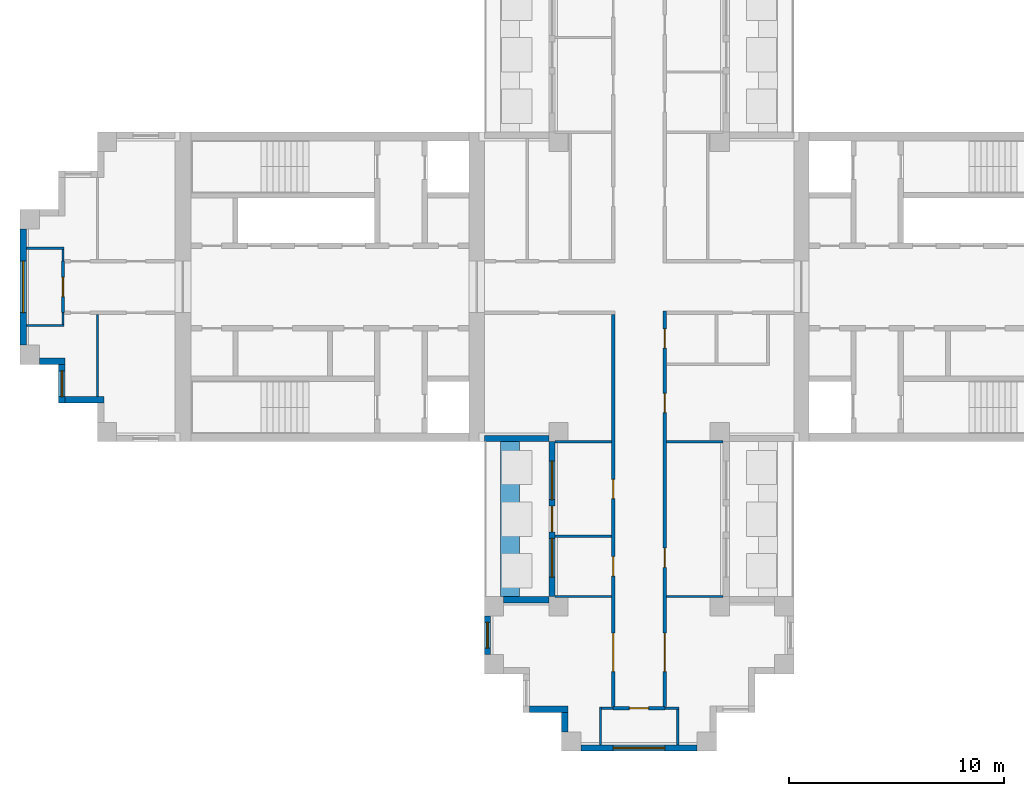
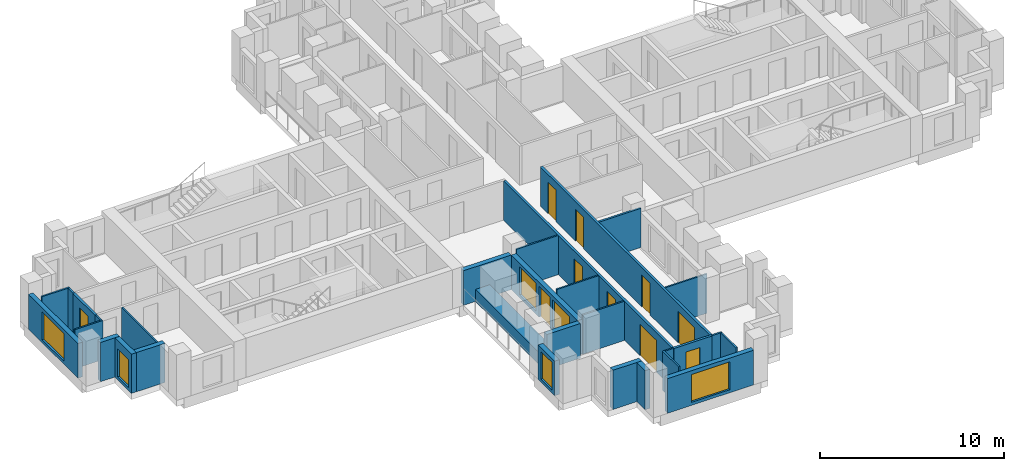
# One storey, part 2 of 10: 30 walls, 10 doors, 6 windows, 16 openings.
"""IFC4 building model written with IfcOpenShell, lengths in metres."""

import ifcopenshell
import ifcopenshell.guid

model = None  # the IFC model being written
_history = None  # IfcOwnerHistory: only IFC2X3 demands one
_inside = {}  # id of a spatial element -> (the spatial element, [elements in it])
_under = {}  # id of a project, library or spatial element -> (it, [spatial elements below it])
_declared = {}  # id of a project -> (the project, [libraries it declares])
_typed = {}  # id of a type object -> (the type object, [elements of that type])
_made_of = {}  # id of a material, layer set ... -> (it, [elements and type objects made of it])


def new_model(schema):
    """Start an empty IFC model of exactly this schema.

    Asked for "IFC4X3", IfcOpenShell would pick the latest addendum, in which some entities
    have other attributes; the version numbers below select the first issue.
    IFC2X3 requires an IfcOwnerHistory on every rooted entity: one is made here for all.
    """
    global model, _history
    if schema == "IFC4X3":
        model = ifcopenshell.file(schema_version=(4, 3, 0, 0))
    else:
        model = ifcopenshell.file(schema=schema)
    _inside.clear()
    _under.clear()
    _declared.clear()
    _typed.clear()
    _made_of.clear()
    _history = None
    if model.schema == "IFC2X3":
        org = make("IfcOrganization", Name="unknown")
        user = make(
            "IfcPersonAndOrganization",
            ThePerson=make("IfcPerson", FamilyName="unknown"),
            TheOrganization=org,
        )
        app = make(
            "IfcApplication",
            ApplicationDeveloper=org,
            Version="unknown",
            ApplicationFullName="unknown",
            ApplicationIdentifier="unknown",
        )
        _history = make(
            "IfcOwnerHistory",
            OwningUser=user,
            OwningApplication=app,
            ChangeAction="ADDED",
            CreationDate=0,
        )
    return model


def make(cls, **values):
    """One entity of the class cls with the attributes given. An attribute that is None is left unset."""
    return model.create_entity(
        cls, **{name: value for name, value in values.items() if value is not None}
    )


def rooted(cls, **values):
    """An entity with a GlobalId (a new one), such as an element, a storey or a relation."""
    return make(cls, GlobalId=ifcopenshell.guid.new(), OwnerHistory=_history, **values)


def si_unit(unit_type, name, prefix=None):
    """IfcSIUnit, for example si_unit("LENGTHUNIT", "METRE", prefix="MILLI")."""
    return make("IfcSIUnit", UnitType=unit_type, Prefix=prefix, Name=name)


def assignment(units):
    """IfcUnitAssignment: the units of a project."""
    return None if units is None else make("IfcUnitAssignment", Units=units)


def point(xyz):
    """IfcCartesianPoint."""
    return None if xyz is None else make("IfcCartesianPoint", Coordinates=xyz)


def direction(xyz):
    """IfcDirection."""
    return None if xyz is None else make("IfcDirection", DirectionRatios=xyz)


def frame(location, z_axis=None, x_axis=None):
    """IfcAxis2Placement3D, a coordinate frame: its origin and axes. An axis left out is left unset."""
    return make(
        "IfcAxis2Placement3D",
        Location=point(location),
        Axis=direction(z_axis),
        RefDirection=direction(x_axis),
    )


def frame_2d(location, x_axis=None):
    """IfcAxis2Placement2D, a coordinate frame in the plane: its origin and x axis."""
    return make(
        "IfcAxis2Placement2D", Location=point(location), RefDirection=direction(x_axis)
    )


def origin():
    """The frame at (0, 0, 0) with its axes left unset."""
    return frame((0.0, 0.0, 0.0))


def place(relative_to, where):
    """IfcLocalPlacement: puts the frame where relative to a parent placement (None: the world)."""
    return make(
        "IfcLocalPlacement", PlacementRelTo=relative_to, RelativePlacement=where
    )


def context(
    kind, dimensions, precision=None, world=None, true_north=None, identifier=None
):
    """IfcGeometricRepresentationContext, for example the 3D "Model" context."""
    return make(
        "IfcGeometricRepresentationContext",
        ContextIdentifier=identifier,
        ContextType=kind,
        CoordinateSpaceDimension=dimensions,
        Precision=precision,
        WorldCoordinateSystem=world,
        TrueNorth=true_north,
    )


def subcontext(parent, identifier, kind, view, scale=None):
    """IfcGeometricRepresentationSubContext, for example "Body" below "Model"."""
    return make(
        "IfcGeometricRepresentationSubContext",
        ContextIdentifier=identifier,
        ContextType=kind,
        ParentContext=parent,
        TargetScale=scale,
        TargetView=view,
    )


def project(units=None, contexts=None):
    """IfcProject with its units and contexts."""
    return rooted(
        "IfcProject",
        Name="project",
        RepresentationContexts=contexts,
        UnitsInContext=assignment(units),
    )


def spatial(cls, under=None, at=None, **own):
    """A site, building, storey or space (cls), placed at a placement, below another one or the project."""
    s = rooted(cls, ObjectPlacement=at, **own)
    if under is not None:
        _under.setdefault(under.id(), (under, []))[1].append(s)
    return s


def profile(cls, at=None, kind="AREA", **sizes):
    """A parametric profile (cls). Its sizes go by their IFC names, for example OverallWidth=200.0."""
    return make(cls, ProfileType=kind, Position=at, **sizes)


def rectangle(**sizes):
    """IfcRectangleProfileDef."""
    return profile("IfcRectangleProfileDef", **sizes)


def extrude(swept, where, along, depth):
    """IfcExtrudedAreaSolid: the profile swept, set in the frame where, extruded along a direction by depth."""
    return make(
        "IfcExtrudedAreaSolid",
        SweptArea=swept,
        Position=where,
        ExtrudedDirection=direction(along),
        Depth=depth,
    )


def shape(context_of_items, identifier, shape_type, items):
    """IfcShapeRepresentation: the items that make up one representation, for example the "Body"."""
    return make(
        "IfcShapeRepresentation",
        ContextOfItems=context_of_items,
        RepresentationIdentifier=identifier,
        RepresentationType=shape_type,
        Items=items,
    )


def material(Name=None, Category=None):
    """IfcMaterial."""
    return make("IfcMaterial", Name=Name, Category=Category)


def layer(
    of_material, thickness, ventilated=None, Name=None, Category=None, Priority=None
):
    """IfcMaterialLayer: one layer of a wall or slab, of a material (None: an air gap)."""
    return make(
        "IfcMaterialLayer",
        Material=of_material,
        LayerThickness=thickness,
        IsVentilated=ventilated,
        Name=Name,
        Category=Category,
        Priority=Priority,
    )


def layer_set(layers, Name=None):
    """IfcMaterialLayerSet."""
    return make("IfcMaterialLayerSet", MaterialLayers=layers, LayerSetName=Name)


def made_of(thing, what):
    """Note that an element or type object is made of a material, layer set ...; save() writes the relation."""
    if what is not None:
        _made_of.setdefault(what.id(), (what, []))[1].append(thing)
    return thing


def type_object(cls, material=None, **own):
    """A type object (cls), such as IfcWallType, which elements share."""
    return made_of(rooted(cls, **own), material)


def element(
    cls,
    number,
    at=None,
    inside=None,
    cuts=None,
    type_object=None,
    material=None,
    context=None,
    identifier="Body",
    shape_type=None,
    held_by="IfcProductDefinitionShape",
    body=None,
    shapes=None,
    **own,
):
    """One element of the class cls, such as IfcWall. Its Tag is "e" and its number.

    at: its placement. inside: the storey or other place that contains it. cuts: it is an
    opening in that element (IfcRelVoidsElement). A single representation is given by context,
    identifier, shape_type and body (its items); several are given by shapes. held_by: the class
    of the entity that holds the representations. save() writes the other relations.
    """
    e = rooted(cls, Tag="e%d" % number, ObjectPlacement=at, **own)
    if body is not None:
        shapes = [shape(context, identifier, shape_type, body)]
    if shapes is not None:
        e.Representation = make(held_by, Representations=shapes)
    if inside is not None:
        _inside.setdefault(inside.id(), (inside, []))[1].append(e)
    if cuts is not None:
        rooted(
            "IfcRelVoidsElement", RelatingBuildingElement=cuts, RelatedOpeningElement=e
        )
    if type_object is not None:
        _typed.setdefault(type_object.id(), (type_object, []))[1].append(e)
    return made_of(e, material)


def fill(opening, filler):
    """IfcRelFillsElement: the door or window that sits in an opening."""
    return rooted(
        "IfcRelFillsElement",
        RelatingOpeningElement=opening,
        RelatedBuildingElement=filler,
    )


def aggregate(whole, parts):
    """IfcRelAggregates: a whole, such as a stair, and the parts it consists of."""
    return rooted("IfcRelAggregates", RelatingObject=whole, RelatedObjects=parts)


def save(model, path):
    """Write the relations noted so far, then the file.

    IfcRelAggregates (storeys below a building ...), IfcRelContainedInSpatialStructure (elements
    in a storey), IfcRelDefinesByType, IfcRelAssociatesMaterial and IfcRelDeclares: one each for
    every whole, place, type object, material and project.
    """
    for whole, parts in _under.values():
        aggregate(whole, parts)
    for where, things in _inside.values():
        rooted(
            "IfcRelContainedInSpatialStructure",
            RelatedElements=things,
            RelatingStructure=where,
        )
    for kind, things in _typed.values():
        rooted("IfcRelDefinesByType", RelatedObjects=things, RelatingType=kind)
    for what, things in _made_of.values():
        rooted("IfcRelAssociatesMaterial", RelatedObjects=things, RelatingMaterial=what)
    for by, libraries in _declared.values():
        rooted("IfcRelDeclares", RelatingContext=by, RelatedDefinitions=libraries)
    model.write(path)


model = new_model("IFC4")

# Units and contexts
model_context = context("Model", 3, precision=1e-05, world=origin(), true_north=direction((0.0, 1.0)))
body_context = subcontext(model_context, "Body", "Model", "MODEL_VIEW")
ifc_project = project(units=[si_unit("LENGTHUNIT", "METRE"), si_unit("AREAUNIT", "SQUARE_METRE"), si_unit("VOLUMEUNIT", "CUBIC_METRE"), si_unit("PLANEANGLEUNIT", "RADIAN"), si_unit("MASSUNIT", "GRAM", prefix="KILO")], contexts=[model_context])

# Site, building, storey
site_placement = place(None, origin())
site = spatial("IfcSite", under=ifc_project, at=site_placement, CompositionType="ELEMENT")
building_placement = place(site_placement, origin())
building = spatial("IfcBuilding", under=site, at=building_placement, Name="Fustian Cross Tower", CompositionType="ELEMENT")
storey_placement = place(building_placement, frame((0.0, 0.0, 207.89990234375)))
storey = spatial("IfcBuildingStorey", under=building, at=storey_placement, Name="L65", CompositionType="ELEMENT", Elevation=207.89990234375)

# Wall, opening, door
ifc_material_1 = material(Name="Plasterboard on steel stud", Category="steel")
ifc_layer_1 = layer(ifc_material_1, 0.14990234375)
ifc_layer_set_1 = layer_set([ifc_layer_1], Name="Plasterboard on steel stud")
wall_type_1 = type_object("IfcWallType", Name="COMPARTMENT WALL 150 EI 60", PredefinedType="PARTITIONING", material=ifc_layer_set_1)
wall_1_placement = place(storey_placement, frame((-26.800048828125, -1.199951171875, 0.0), z_axis=(0.0, 0.0, 1.0), x_axis=(0.0, 1.0, 0.0)))
wall_1 = element("IfcWall", 1, at=wall_1_placement, inside=storey, type_object=wall_type_1, Name="Partition 4", PredefinedType="PARTITIONING", context=body_context, shape_type="SweptSolid", body=[
    extrude(rectangle(XDim=2.39990234375, YDim=0.14990234375, at=frame_2d((1.199951171875, 0.0))), origin(), (0.0, 0.0, 1.0), 2.60009765625),
])
opening_1_placement = place(wall_1_placement, frame((0.75, 0.0, 0.0)))
opening_1 = element("IfcOpeningElement", 2, at=opening_1_placement, cuts=wall_1, Name="Opening D30025", PredefinedType="OPENING", context=body_context, shape_type="SweptSolid", body=[
    extrude(rectangle(XDim=0.89990234375, YDim=2.10009765625, at=frame_2d((0.449951171875, 1.050048828125))), frame((0.0, 0.0849609375, 0.0), z_axis=(0.0, -1.0, 0.0), x_axis=(1.0, 0.0, 0.0)), (0.0, 0.0, 1.0), 0.169921875),
])
ifc_material_2 = material(Name="Timber fire door set", Category="wood")
door_type_1 = type_object("IfcDoorType", Name="FIRE SWING DOOR 900 FD30S", OperationType="SINGLE_SWING_LEFT", PredefinedType="DOOR", material=ifc_material_2)
door_1_placement = place(opening_1_placement, origin())
door_1 = element("IfcDoor", 3, at=door_1_placement, inside=storey, type_object=door_type_1, Name="Door D30025", OperationType="SINGLE_SWING_LEFT", OverallHeight=2.10009765625, OverallWidth=0.89990234375, PredefinedType="DOOR", context=body_context, shape_type="SweptSolid", body=[
    extrude(rectangle(XDim=0.89990234375, YDim=2.10009765625, at=frame_2d((0.449951171875, 1.050048828125))), frame((0.0, 0.02490234375, 0.0), z_axis=(0.0, -1.0, 0.0), x_axis=(1.0, 0.0, 0.0)), (0.0, 0.0, 1.0), 0.050048828125),
])
fill(opening_1, door_1)

# Wall, openings, doors
wall_2_placement = place(storey_placement, frame((-1.199951171875, -19.52490234375, 0.0), z_axis=(0.0, 0.0, 1.0), x_axis=(0.0, 1.0, 0.0)))
wall_2 = element("IfcWall", 4, at=wall_2_placement, inside=storey, type_object=wall_type_1, Name="Partition 28", PredefinedType="PARTITIONING", context=body_context, shape_type="SweptSolid", body=[
    extrude(rectangle(XDim=18.25, YDim=0.14990234375, at=frame_2d((9.125, 0.0))), origin(), (0.0, 0.0, 1.0), 2.60009765625),
])
opening_2_placement = place(wall_2_placement, frame((6.074951171875, 0.0, 0.0)))
opening_2 = element("IfcOpeningElement", 5, at=opening_2_placement, cuts=wall_2, Name="Opening D30033", PredefinedType="OPENING", context=body_context, shape_type="SweptSolid", body=[
    extrude(rectangle(XDim=0.89990234375, YDim=2.10009765625, at=frame_2d((0.449951171875, 1.050048828125))), frame((0.0, 0.0849609375, 0.0), z_axis=(0.0, -1.0, 0.0), x_axis=(1.0, 0.0, 0.0)), (0.0, 0.0, 1.0), 0.169921875),
])
opening_3_placement = place(wall_2_placement, frame((9.675048828125, 0.0, 0.0)))
opening_3 = element("IfcOpeningElement", 6, at=opening_3_placement, cuts=wall_2, Name="Opening D30034", PredefinedType="OPENING", context=body_context, shape_type="SweptSolid", body=[
    extrude(rectangle(XDim=0.89990234375, YDim=2.10009765625, at=frame_2d((0.449951171875, 1.050048828125))), frame((0.0, 0.0849609375, 0.0), z_axis=(0.0, -1.0, 0.0), x_axis=(1.0, 0.0, 0.0)), (0.0, 0.0, 1.0), 0.169921875),
])
opening_4_placement = place(wall_2_placement, frame((1.625, 0.0, 0.0)))
opening_4 = element("IfcOpeningElement", 7, at=opening_4_placement, cuts=wall_2, Name="Opening D30035", PredefinedType="OPENING", context=body_context, shape_type="SweptSolid", body=[
    extrude(rectangle(XDim=1.800048828125, YDim=2.10009765625, at=frame_2d((0.89990234375, 1.050048828125))), frame((0.0, 0.0849609375, 0.0), z_axis=(0.0, -1.0, 0.0), x_axis=(1.0, 0.0, 0.0)), (0.0, 0.0, 1.0), 0.169921875),
])
ifc_material_3 = material(Name="Timber fire door set", Category="wood")
door_type_2 = type_object("IfcDoorType", Name="FIRE DOUBLE DOOR 1800 FD30S", OperationType="DOUBLE_DOOR_DOUBLE_SWING", PredefinedType="DOOR", material=ifc_material_3)
door_2_placement = place(opening_4_placement, frame((1.800048828125, 0.0, 0.0), z_axis=(0.0, 0.0, 1.0), x_axis=(-1.0, 0.0, 0.0)))
door_2 = element("IfcDoor", 8, at=door_2_placement, inside=storey, type_object=door_type_2, Name="Door D30035", OperationType="DOUBLE_DOOR_DOUBLE_SWING", OverallHeight=2.10009765625, OverallWidth=1.800048828125, PredefinedType="DOOR", context=body_context, shape_type="SweptSolid", body=[
    extrude(rectangle(XDim=1.800048828125, YDim=2.10009765625, at=frame_2d((0.89990234375, 1.050048828125))), frame((0.0, 0.02490234375, 0.0), z_axis=(0.0, -1.0, 0.0), x_axis=(1.0, 0.0, 0.0)), (0.0, 0.0, 1.0), 0.050048828125),
])
fill(opening_4, door_2)
door_3_placement = place(opening_2_placement, origin())
door_3 = element("IfcDoor", 9, at=door_3_placement, inside=storey, type_object=door_type_1, Name="Door D30033", OperationType="SINGLE_SWING_LEFT", OverallHeight=2.10009765625, OverallWidth=0.89990234375, PredefinedType="DOOR", context=body_context, shape_type="SweptSolid", body=[
    extrude(rectangle(XDim=0.89990234375, YDim=2.10009765625, at=frame_2d((0.449951171875, 1.050048828125))), frame((0.0, 0.02490234375, 0.0), z_axis=(0.0, -1.0, 0.0), x_axis=(1.0, 0.0, 0.0)), (0.0, 0.0, 1.0), 0.050048828125),
])
fill(opening_2, door_3)
door_4_placement = place(opening_3_placement, origin())
door_4 = element("IfcDoor", 10, at=door_4_placement, inside=storey, type_object=door_type_1, Name="Door D30034", OperationType="SINGLE_SWING_LEFT", OverallHeight=2.10009765625, OverallWidth=0.89990234375, PredefinedType="DOOR", context=body_context, shape_type="SweptSolid", body=[
    extrude(rectangle(XDim=0.89990234375, YDim=2.10009765625, at=frame_2d((0.449951171875, 1.050048828125))), frame((0.0, 0.02490234375, 0.0), z_axis=(0.0, -1.0, 0.0), x_axis=(1.0, 0.0, 0.0)), (0.0, 0.0, 1.0), 0.050048828125),
])
fill(opening_3, door_4)

# Wall, opening, door
wall_3_placement = place(storey_placement, frame((-1.199951171875, -19.60009765625, 0.0), z_axis=(0.0, 0.0, 1.0), x_axis=(1.0, 0.0, 0.0)))
wall_3 = element("IfcWall", 11, at=wall_3_placement, inside=storey, type_object=wall_type_1, Name="Partition 29", PredefinedType="PARTITIONING", context=body_context, shape_type="SweptSolid", body=[
    extrude(rectangle(XDim=2.39990234375, YDim=0.14990234375, at=frame_2d((1.199951171875, 0.0))), origin(), (0.0, 0.0, 1.0), 2.60009765625),
])
opening_5_placement = place(wall_3_placement, frame((0.75, 0.0, 0.0)))
opening_5 = element("IfcOpeningElement", 12, at=opening_5_placement, cuts=wall_3, Name="Opening D30030", PredefinedType="OPENING", context=body_context, shape_type="SweptSolid", body=[
    extrude(rectangle(XDim=0.89990234375, YDim=2.10009765625, at=frame_2d((0.449951171875, 1.050048828125))), frame((0.0, 0.0849609375, 0.0), z_axis=(0.0, -1.0, 0.0), x_axis=(1.0, 0.0, 0.0)), (0.0, 0.0, 1.0), 0.169921875),
])
door_5_placement = place(opening_5_placement, frame((0.89990234375, 0.0, 0.0), z_axis=(0.0, 0.0, 1.0), x_axis=(-1.0, 0.0, 0.0)))
door_5 = element("IfcDoor", 13, at=door_5_placement, inside=storey, type_object=door_type_1, Name="Door D30030", OperationType="SINGLE_SWING_RIGHT", OverallHeight=2.10009765625, OverallWidth=0.89990234375, PredefinedType="DOOR", context=body_context, shape_type="SweptSolid", body=[
    extrude(rectangle(XDim=0.89990234375, YDim=2.10009765625, at=frame_2d((0.449951171875, 1.050048828125))), frame((0.0, 0.02490234375, 0.0), z_axis=(0.0, -1.0, 0.0), x_axis=(1.0, 0.0, 0.0)), (0.0, 0.0, 1.0), 0.050048828125),
])
fill(opening_5, door_5)

# Wall, openings, doors
wall_4_placement = place(storey_placement, frame((1.199951171875, -19.52490234375, 0.0), z_axis=(0.0, 0.0, 1.0), x_axis=(0.0, 1.0, 0.0)))
wall_4 = element("IfcWall", 14, at=wall_4_placement, inside=storey, type_object=wall_type_1, Name="Partition 32", PredefinedType="PARTITIONING", context=body_context, shape_type="SweptSolid", body=[
    extrude(rectangle(XDim=18.39990234375, YDim=0.14990234375, at=frame_2d((9.199951171875, 0.0))), origin(), (0.0, 0.0, 1.0), 2.60009765625),
])
opening_6_placement = place(wall_4_placement, frame((16.675048828125, 0.0, 0.0)))
opening_6 = element("IfcOpeningElement", 15, at=opening_6_placement, cuts=wall_4, Name="Opening D30006", PredefinedType="OPENING", context=body_context, shape_type="SweptSolid", body=[
    extrude(rectangle(XDim=0.89990234375, YDim=2.10009765625, at=frame_2d((0.449951171875, 1.050048828125))), frame((0.0, 0.0849609375, 0.0), z_axis=(0.0, -1.0, 0.0), x_axis=(1.0, 0.0, 0.0)), (0.0, 0.0, 1.0), 0.169921875),
])
opening_7_placement = place(wall_4_placement, frame((13.675048828125, 0.0, 0.0)))
opening_7 = element("IfcOpeningElement", 16, at=opening_7_placement, cuts=wall_4, Name="Opening D30008", PredefinedType="OPENING", context=body_context, shape_type="SweptSolid", body=[
    extrude(rectangle(XDim=0.89990234375, YDim=2.10009765625, at=frame_2d((0.449951171875, 1.050048828125))), frame((0.0, 0.0849609375, 0.0), z_axis=(0.0, -1.0, 0.0), x_axis=(1.0, 0.0, 0.0)), (0.0, 0.0, 1.0), 0.169921875),
])
opening_8_placement = place(wall_4_placement, frame((6.47509765625, 0.0, 0.0)))
opening_8 = element("IfcOpeningElement", 17, at=opening_8_placement, cuts=wall_4, Name="Opening D30031", PredefinedType="OPENING", context=body_context, shape_type="SweptSolid", body=[
    extrude(rectangle(XDim=0.89990234375, YDim=2.10009765625, at=frame_2d((0.449951171875, 1.050048828125))), frame((0.0, 0.0849609375, 0.0), z_axis=(0.0, -1.0, 0.0), x_axis=(1.0, 0.0, 0.0)), (0.0, 0.0, 1.0), 0.169921875),
])
opening_9_placement = place(wall_4_placement, frame((1.625, 0.0, 0.0)))
opening_9 = element("IfcOpeningElement", 18, at=opening_9_placement, cuts=wall_4, Name="Opening D30032", PredefinedType="OPENING", context=body_context, shape_type="SweptSolid", body=[
    extrude(rectangle(XDim=1.800048828125, YDim=2.10009765625, at=frame_2d((0.89990234375, 1.050048828125))), frame((0.0, 0.0849609375, 0.0), z_axis=(0.0, -1.0, 0.0), x_axis=(1.0, 0.0, 0.0)), (0.0, 0.0, 1.0), 0.169921875),
])
door_6_placement = place(opening_9_placement, origin())
door_6 = element("IfcDoor", 19, at=door_6_placement, inside=storey, type_object=door_type_2, Name="Door D30032", OperationType="DOUBLE_DOOR_DOUBLE_SWING", OverallHeight=2.10009765625, OverallWidth=1.800048828125, PredefinedType="DOOR", context=body_context, shape_type="SweptSolid", body=[
    extrude(rectangle(XDim=1.800048828125, YDim=2.10009765625, at=frame_2d((0.89990234375, 1.050048828125))), frame((0.0, 0.02490234375, 0.0), z_axis=(0.0, -1.0, 0.0), x_axis=(1.0, 0.0, 0.0)), (0.0, 0.0, 1.0), 0.050048828125),
])
fill(opening_9, door_6)
door_7_placement = place(opening_6_placement, frame((0.89990234375, 0.0, 0.0), z_axis=(0.0, 0.0, 1.0), x_axis=(-1.0, 0.0, 0.0)))
door_7 = element("IfcDoor", 20, at=door_7_placement, inside=storey, type_object=door_type_1, Name="Door D30006", OperationType="SINGLE_SWING_RIGHT", OverallHeight=2.10009765625, OverallWidth=0.89990234375, PredefinedType="DOOR", context=body_context, shape_type="SweptSolid", body=[
    extrude(rectangle(XDim=0.89990234375, YDim=2.10009765625, at=frame_2d((0.449951171875, 1.050048828125))), frame((0.0, 0.02490234375, 0.0), z_axis=(0.0, -1.0, 0.0), x_axis=(1.0, 0.0, 0.0)), (0.0, 0.0, 1.0), 0.050048828125),
])
fill(opening_6, door_7)
door_8_placement = place(opening_7_placement, frame((0.89990234375, 0.0, 0.0), z_axis=(0.0, 0.0, 1.0), x_axis=(-1.0, 0.0, 0.0)))
door_8 = element("IfcDoor", 21, at=door_8_placement, inside=storey, type_object=door_type_1, Name="Door D30008", OperationType="SINGLE_SWING_RIGHT", OverallHeight=2.10009765625, OverallWidth=0.89990234375, PredefinedType="DOOR", context=body_context, shape_type="SweptSolid", body=[
    extrude(rectangle(XDim=0.89990234375, YDim=2.10009765625, at=frame_2d((0.449951171875, 1.050048828125))), frame((0.0, 0.02490234375, 0.0), z_axis=(0.0, -1.0, 0.0), x_axis=(1.0, 0.0, 0.0)), (0.0, 0.0, 1.0), 0.050048828125),
])
fill(opening_7, door_8)
door_9_placement = place(opening_8_placement, frame((0.89990234375, 0.0, 0.0), z_axis=(0.0, 0.0, 1.0), x_axis=(-1.0, 0.0, 0.0)))
door_9 = element("IfcDoor", 22, at=door_9_placement, inside=storey, type_object=door_type_1, Name="Door D30031", OperationType="SINGLE_SWING_RIGHT", OverallHeight=2.10009765625, OverallWidth=0.89990234375, PredefinedType="DOOR", context=body_context, shape_type="SweptSolid", body=[
    extrude(rectangle(XDim=0.89990234375, YDim=2.10009765625, at=frame_2d((0.449951171875, 1.050048828125))), frame((0.0, 0.02490234375, 0.0), z_axis=(0.0, -1.0, 0.0), x_axis=(1.0, 0.0, 0.0)), (0.0, 0.0, 1.0), 0.050048828125),
])
fill(opening_8, door_9)

# Walls
ifc_material_4 = material(Name="Plasterboard on steel stud", Category="steel")
ifc_layer_2 = layer(ifc_material_4, 0.10009765625)
ifc_layer_set_2 = layer_set([ifc_layer_2], Name="Plasterboard on steel stud")
wall_type_2 = type_object("IfcWallType", Name="PARTITION 100 STUD", PredefinedType="PARTITIONING", material=ifc_layer_set_2)
for number, where, z_axis, x_axis, name in (
    (23, (-28.5, -1.800048828125, 0.0), (0.0, 0.0, 1.0), (1.0, 0.0, 0.0), "Partition 1"),
    (24, (-28.5, 1.800048828125, 0.0), (0.0, 0.0, 1.0), (1.0, 0.0, 0.0), "Partition 2"),
):
    element("IfcWall", number, at=place(storey_placement, frame(where, z_axis=z_axis, x_axis=x_axis)), inside=storey, type_object=wall_type_2, Name=name, PredefinedType="PARTITIONING", context=body_context, shape_type="SweptSolid", body=[
        extrude(rectangle(XDim=1.75, YDim=0.10009765625, at=frame_2d((0.875, 0.0))), origin(), (0.0, 0.0, 1.0), 2.60009765625),
    ])
for number, where, z_axis, x_axis, name in (
    (25, (-26.800048828125, -1.75, 0.0), (0.0, 0.0, 1.0), (0.0, 1.0, 0.0), "Partition 3"),
    (26, (-26.800048828125, 1.199951171875, 0.0), (0.0, 0.0, 1.0), (0.0, 1.0, 0.0), "Partition 6"),
):
    element("IfcWall", number, at=place(storey_placement, frame(where, z_axis=z_axis, x_axis=x_axis)), inside=storey, type_object=wall_type_2, Name=name, PredefinedType="PARTITIONING", context=body_context, shape_type="SweptSolid", body=[
        extrude(rectangle(XDim=0.550048828125, YDim=0.10009765625, at=frame_2d((0.27490234375, 0.0))), origin(), (0.0, 0.0, 1.0), 2.60009765625),
    ])
wall_5_placement = place(storey_placement, frame((-25.199951171875, -5.10009765625, 0.0), z_axis=(0.0, 0.0, 1.0), x_axis=(0.0, 1.0, 0.0)))
element("IfcWall", 27, at=wall_5_placement, inside=storey, type_object=wall_type_2, Name="Partition 8", PredefinedType="PARTITIONING", context=body_context, shape_type="SweptSolid", body=[
    extrude(rectangle(XDim=3.8251953125, YDim=0.10009765625, at=frame_2d((1.91259765625, 0.0))), origin(), (0.0, 0.0, 1.0), 2.60009765625),
])
for number, where, z_axis, x_axis, name in (
    (28, (-3.89990234375, -14.39990234375, 0.0), (0.0, 0.0, 1.0), (1.0, 0.0, 0.0), "Partition 14"),
    (29, (-3.89990234375, -11.60009765625, 0.0), (0.0, 0.0, 1.0), (1.0, 0.0, 0.0), "Partition 15"),
    (30, (-3.89990234375, -7.199951171875, 0.0), (0.0, 0.0, 1.0), (1.0, 0.0, 0.0), "Partition 16"),
):
    element("IfcWall", number, at=place(storey_placement, frame(where, z_axis=z_axis, x_axis=x_axis)), inside=storey, type_object=wall_type_2, Name=name, PredefinedType="PARTITIONING", context=body_context, shape_type="SweptSolid", body=[
        extrude(rectangle(XDim=2.625, YDim=0.10009765625, at=frame_2d((1.3125, 0.0))), origin(), (0.0, 0.0, 1.0), 2.60009765625),
    ])
wall_6_placement = place(storey_placement, frame((-1.800048828125, -21.300048828125, 0.0), z_axis=(0.0, 0.0, 1.0), x_axis=(0.0, 1.0, 0.0)))
element("IfcWall", 31, at=wall_6_placement, inside=storey, type_object=wall_type_2, Name="Partition 24", PredefinedType="PARTITIONING", context=body_context, shape_type="SweptSolid", body=[
    extrude(rectangle(XDim=1.75, YDim=0.10009765625, at=frame_2d((0.875, 0.0))), origin(), (0.0, 0.0, 1.0), 2.60009765625),
])
wall_7_placement = place(storey_placement, frame((-1.75, -19.60009765625, 0.0), z_axis=(0.0, 0.0, 1.0), x_axis=(1.0, 0.0, 0.0)))
element("IfcWall", 32, at=wall_7_placement, inside=storey, type_object=wall_type_2, Name="Partition 25", PredefinedType="PARTITIONING", context=body_context, shape_type="SweptSolid", body=[
    extrude(rectangle(XDim=0.550048828125, YDim=0.10009765625, at=frame_2d((0.27490234375, 0.0))), origin(), (0.0, 0.0, 1.0), 2.60009765625),
])
wall_8_placement = place(storey_placement, frame((1.199951171875, -19.60009765625, 0.0), z_axis=(0.0, 0.0, 1.0), x_axis=(1.0, 0.0, 0.0)))
element("IfcWall", 33, at=wall_8_placement, inside=storey, type_object=wall_type_2, Name="Partition 33", PredefinedType="PARTITIONING", context=body_context, shape_type="SweptSolid", body=[
    extrude(rectangle(XDim=0.650146484375, YDim=0.10009765625, at=frame_2d((0.3251953125, 0.0))), origin(), (0.0, 0.0, 1.0), 2.60009765625),
])
wall_9_placement = place(storey_placement, frame((1.27490234375, -14.39990234375, 0.0), z_axis=(0.0, 0.0, 1.0), x_axis=(1.0, 0.0, 0.0)))
element("IfcWall", 34, at=wall_9_placement, inside=storey, type_object=wall_type_2, Name="Partition 34", PredefinedType="PARTITIONING", context=body_context, shape_type="SweptSolid", body=[
    extrude(rectangle(XDim=2.625, YDim=0.10009765625, at=frame_2d((1.3125, 0.0))), origin(), (0.0, 0.0, 1.0), 2.60009765625),
])
wall_10_placement = place(storey_placement, frame((1.800048828125, -21.300048828125, 0.0), z_axis=(0.0, 0.0, 1.0), x_axis=(0.0, 1.0, 0.0)))
element("IfcWall", 35, at=wall_10_placement, inside=storey, type_object=wall_type_2, Name="Partition 46", PredefinedType="PARTITIONING", context=body_context, shape_type="SweptSolid", body=[
    extrude(rectangle(XDim=1.650146484375, YDim=0.10009765625, at=frame_2d((0.8251953125, 0.0))), origin(), (0.0, 0.0, 1.0), 2.60009765625),
])
ifc_material_5 = material(Name="Concrete C40/50", Category="concrete")
ifc_layer_3 = layer(ifc_material_5, 0.89990234375)
ifc_layer_set_3 = layer_set([ifc_layer_3], Name="Concrete C40/50")
wall_type_3 = type_object("IfcWallType", Name="PK1 PLANTER 900", PredefinedType="PARAPET", material=ifc_layer_set_3)
wall_11_placement = place(storey_placement, frame((-6.0, -14.39990234375, 0.0), z_axis=(0.0, 0.0, 1.0), x_axis=(0.0, 1.0, 0.0)))
element("IfcWall", 36, at=wall_11_placement, inside=storey, type_object=wall_type_3, Name="PLANTER", PredefinedType="PARAPET", context=body_context, shape_type="SweptSolid", body=[
    extrude(rectangle(XDim=7.199951171875, YDim=0.89990234375, at=frame_2d((3.60009765625, 0.0))), origin(), (0.0, 0.0, 1.0), 0.800048828125),
])
ifc_material_6 = material(Name="Plasterboard on steel stud", Category="steel")
ifc_layer_4 = layer(ifc_material_6, 0.125)
ifc_layer_set_4 = layer_set([ifc_layer_4], Name="Plasterboard on steel stud")
wall_type_4 = type_object("IfcWallType", Name="WET WALL 125 STUD", PredefinedType="PARTITIONING", material=ifc_layer_set_4)
wall_12_placement = place(storey_placement, frame((1.27490234375, -7.199951171875, 0.0), z_axis=(0.0, 0.0, 1.0), x_axis=(1.0, 0.0, 0.0)))
element("IfcWall", 37, at=wall_12_placement, inside=storey, type_object=wall_type_4, Name="Partition 35", PredefinedType="PARTITIONING", context=body_context, shape_type="SweptSolid", body=[
    extrude(rectangle(XDim=2.625, YDim=0.125, at=frame_2d((1.3125, 0.0))), origin(), (0.0, 0.0, 1.0), 2.60009765625),
])

# Wall, opening, window
ifc_material_7 = material(Name="Dark aluminium cladding on insulated backing wall", Category="aluminium")
ifc_layer_5 = layer(ifc_material_7, 0.300048828125)
ifc_layer_set_5 = layer_set([ifc_layer_5], Name="Dark aluminium cladding on insulated backing wall")
wall_type_5 = type_object("IfcWallType", Name="XW1 EXTERNAL WALL 300", PredefinedType="SOLIDWALL", material=ifc_layer_set_5)
wall_13_placement = place(storey_placement, frame((-28.64990234375, 2.699951171875, 0.0), z_axis=(0.0, 0.0, 1.0), x_axis=(0.0, -1.0, 0.0)))
wall_13 = element("IfcWall", 38, at=wall_13_placement, inside=storey, type_object=wall_type_5, Name="External wall", PredefinedType="SOLIDWALL", context=body_context, shape_type="SweptSolid", body=[
    extrude(rectangle(XDim=5.39990234375, YDim=0.300048828125, at=frame_2d((2.699951171875, 0.0))), origin(), (0.0, 0.0, 1.0), 2.300048828125),
])
opening_10_placement = place(wall_13_placement, frame((1.5, 0.0, 0.199951171875)))
opening_10 = element("IfcOpeningElement", 39, at=opening_10_placement, cuts=wall_13, Name="Opening WN1", PredefinedType="OPENING", context=body_context, shape_type="SweptSolid", body=[
    extrude(rectangle(XDim=2.39990234375, YDim=1.85009765625, at=frame_2d((1.199951171875, 0.925048828125))), frame((0.0, 0.159912109375, 0.0), z_axis=(0.0, -1.0, 0.0), x_axis=(1.0, 0.0, 0.0)), (0.0, 0.0, 1.0), 0.320068359375),
])
ifc_material_8 = material(Name="Dark anodised aluminium and double glazing", Category="aluminium")
window_type_1 = type_object("IfcWindowType", Name="WN1 WINDOW 2400X1850", PartitioningType="SINGLE_PANEL", PredefinedType="WINDOW", material=ifc_material_8)
window_1_placement = place(opening_10_placement, origin())
window_1 = element("IfcWindow", 40, at=window_1_placement, inside=storey, type_object=window_type_1, Name="Window", OverallHeight=1.85009765625, OverallWidth=2.39990234375, PartitioningType="SINGLE_PANEL", PredefinedType="WINDOW", context=body_context, shape_type="SweptSolid", body=[
    extrude(rectangle(XDim=2.39990234375, YDim=1.85009765625, at=frame_2d((1.199951171875, 0.925048828125))), frame((0.0, 0.030029296875, 0.0), z_axis=(0.0, -1.0, 0.0), x_axis=(1.0, 0.0, 0.0)), (0.0, 0.0, 1.0), 0.06005859375),
])
fill(opening_10, window_1)

# Wall
wall_14_placement = place(storey_placement, frame((-27.89990234375, -3.449951171875, 0.0), z_axis=(0.0, 0.0, 1.0), x_axis=(1.0, 0.0, 0.0)))
element("IfcWall", 41, at=wall_14_placement, inside=storey, type_object=wall_type_5, Name="External wall", PredefinedType="SOLIDWALL", context=body_context, shape_type="SweptSolid", body=[
    extrude(rectangle(XDim=1.199951171875, YDim=0.300048828125, at=frame_2d((0.60009765625, 0.0))), origin(), (0.0, 0.0, 1.0), 2.60009765625),
])

# Wall, opening, window
wall_15_placement = place(storey_placement, frame((-26.85009765625, -3.60009765625, 0.0), z_axis=(0.0, 0.0, 1.0), x_axis=(0.0, -1.0, 0.0)))
wall_15 = element("IfcWall", 42, at=wall_15_placement, inside=storey, type_object=wall_type_5, Name="External wall", PredefinedType="SOLIDWALL", context=body_context, shape_type="SweptSolid", body=[
    extrude(rectangle(XDim=1.7998046875, YDim=0.300048828125, at=frame_2d((0.89990234375, 0.0))), origin(), (0.0, 0.0, 1.0), 2.60009765625),
])
opening_11_placement = place(wall_15_placement, frame((0.300048828125, 0.0, 0.199951171875)))
opening_11 = element("IfcOpeningElement", 43, at=opening_11_placement, cuts=wall_15, Name="Opening WN3", PredefinedType="OPENING", context=body_context, shape_type="SweptSolid", body=[
    extrude(rectangle(XDim=1.199951171875, YDim=1.85009765625, at=frame_2d((0.60009765625, 0.925048828125))), frame((0.0, 0.159912109375, 0.0), z_axis=(0.0, -1.0, 0.0), x_axis=(1.0, 0.0, 0.0)), (0.0, 0.0, 1.0), 0.320068359375),
])
ifc_material_9 = material(Name="Dark anodised aluminium and double glazing", Category="aluminium")
window_type_2 = type_object("IfcWindowType", Name="WN3 WINDOW 1200X1850", PartitioningType="SINGLE_PANEL", PredefinedType="WINDOW", material=ifc_material_9)
window_2_placement = place(opening_11_placement, origin())
window_2 = element("IfcWindow", 44, at=window_2_placement, inside=storey, type_object=window_type_2, Name="Window", OverallHeight=1.85009765625, OverallWidth=1.199951171875, PartitioningType="SINGLE_PANEL", PredefinedType="WINDOW", context=body_context, shape_type="SweptSolid", body=[
    extrude(rectangle(XDim=1.199951171875, YDim=1.85009765625, at=frame_2d((0.60009765625, 0.925048828125))), frame((0.0, 0.030029296875, 0.0), z_axis=(0.0, -1.0, 0.0), x_axis=(1.0, 0.0, 0.0)), (0.0, 0.0, 1.0), 0.06005859375),
])
fill(opening_11, window_2)

# Walls
wall_16_placement = place(storey_placement, frame((-26.699951171875, -5.25, 0.0), z_axis=(0.0, 0.0, 1.0), x_axis=(1.0, 0.0, 0.0)))
element("IfcWall", 45, at=wall_16_placement, inside=storey, type_object=wall_type_5, Name="External wall", PredefinedType="SOLIDWALL", context=body_context, shape_type="SweptSolid", body=[
    extrude(rectangle(XDim=1.800048828125, YDim=0.300048828125, at=frame_2d((0.89990234375, 0.0))), origin(), (0.0, 0.0, 1.0), 2.60009765625),
])
wall_17_placement = place(storey_placement, frame((-7.199951171875, -7.050048828125, 0.0), z_axis=(0.0, 0.0, 1.0), x_axis=(1.0, 0.0, 0.0)))
element("IfcWall", 46, at=wall_17_placement, inside=storey, type_object=wall_type_5, Name="External wall", PredefinedType="SOLIDWALL", context=body_context, shape_type="SweptSolid", body=[
    extrude(rectangle(XDim=3.0, YDim=0.300048828125, at=frame_2d((1.5, 0.0))), origin(), (0.0, 0.0, 1.0), 2.300048828125),
])

# Wall, openings, door, windows
wall_18_placement = place(storey_placement, frame((-4.050048828125, -7.199951171875, 0.0), z_axis=(0.0, 0.0, 1.0), x_axis=(0.0, -1.0, 0.0)))
wall_18 = element("IfcWall", 47, at=wall_18_placement, inside=storey, type_object=wall_type_5, Name="External wall", PredefinedType="SOLIDWALL", context=body_context, shape_type="SweptSolid", body=[
    extrude(rectangle(XDim=7.199951171875, YDim=0.300048828125, at=frame_2d((3.60009765625, 0.0))), origin(), (0.0, 0.0, 1.0), 2.300048828125),
])
opening_12_placement = place(wall_18_placement, frame((3.0, 0.0, 0.0)))
opening_12 = element("IfcOpeningElement", 48, at=opening_12_placement, cuts=wall_18, Name="Opening XD4", PredefinedType="OPENING", context=body_context, shape_type="SweptSolid", body=[
    extrude(rectangle(XDim=1.199951171875, YDim=2.050048828125, at=frame_2d((0.60009765625, 1.02490234375))), frame((0.0, 0.159912109375, 0.0), z_axis=(0.0, -1.0, 0.0), x_axis=(1.0, 0.0, 0.0)), (0.0, 0.0, 1.0), 0.320068359375),
])
opening_13_placement = place(wall_18_placement, frame((0.89990234375, 0.0, 0.199951171875)))
opening_13 = element("IfcOpeningElement", 49, at=opening_13_placement, cuts=wall_18, Name="Opening WN2", PredefinedType="OPENING", context=body_context, shape_type="SweptSolid", body=[
    extrude(rectangle(XDim=1.800048828125, YDim=1.85009765625, at=frame_2d((0.89990234375, 0.925048828125))), frame((0.0, 0.159912109375, 0.0), z_axis=(0.0, -1.0, 0.0), x_axis=(1.0, 0.0, 0.0)), (0.0, 0.0, 1.0), 0.320068359375),
])
opening_14_placement = place(wall_18_placement, frame((4.5, 0.0, 0.199951171875)))
opening_14 = element("IfcOpeningElement", 50, at=opening_14_placement, cuts=wall_18, Name="Opening WN2", PredefinedType="OPENING", context=body_context, shape_type="SweptSolid", body=[
    extrude(rectangle(XDim=1.800048828125, YDim=1.85009765625, at=frame_2d((0.89990234375, 0.925048828125))), frame((0.0, 0.159912109375, 0.0), z_axis=(0.0, -1.0, 0.0), x_axis=(1.0, 0.0, 0.0)), (0.0, 0.0, 1.0), 0.320068359375),
])
ifc_material_10 = material(Name="Dark anodised aluminium and double glazing", Category="aluminium")
door_type_3 = type_object("IfcDoorType", Name="ED1 BALCONY DOOR 1200X2050", OperationType="SINGLE_SWING_LEFT", PredefinedType="DOOR", material=ifc_material_10)
door_10_placement = place(opening_12_placement, origin())
door_10 = element("IfcDoor", 51, at=door_10_placement, inside=storey, type_object=door_type_3, Name="Balcony door", OperationType="SINGLE_SWING_LEFT", OverallHeight=2.050048828125, OverallWidth=1.199951171875, PredefinedType="DOOR", context=body_context, shape_type="SweptSolid", body=[
    extrude(rectangle(XDim=1.199951171875, YDim=2.050048828125, at=frame_2d((0.60009765625, 1.02490234375))), frame((0.0, 0.02490234375, 0.0), z_axis=(0.0, -1.0, 0.0), x_axis=(1.0, 0.0, 0.0)), (0.0, 0.0, 1.0), 0.050048828125),
])
fill(opening_12, door_10)
ifc_material_11 = material(Name="Dark anodised aluminium and double glazing", Category="aluminium")
window_type_3 = type_object("IfcWindowType", Name="WN2 WINDOW 1800X1850", PartitioningType="SINGLE_PANEL", PredefinedType="WINDOW", material=ifc_material_11)
window_3_placement = place(opening_13_placement, origin())
window_3 = element("IfcWindow", 52, at=window_3_placement, inside=storey, type_object=window_type_3, Name="Window", OverallHeight=1.85009765625, OverallWidth=1.800048828125, PartitioningType="SINGLE_PANEL", PredefinedType="WINDOW", context=body_context, shape_type="SweptSolid", body=[
    extrude(rectangle(XDim=1.800048828125, YDim=1.85009765625, at=frame_2d((0.89990234375, 0.925048828125))), frame((0.0, 0.030029296875, 0.0), z_axis=(0.0, -1.0, 0.0), x_axis=(1.0, 0.0, 0.0)), (0.0, 0.0, 1.0), 0.06005859375),
])
fill(opening_13, window_3)
window_4_placement = place(opening_14_placement, origin())
window_4 = element("IfcWindow", 53, at=window_4_placement, inside=storey, type_object=window_type_3, Name="Window", OverallHeight=1.85009765625, OverallWidth=1.800048828125, PartitioningType="SINGLE_PANEL", PredefinedType="WINDOW", context=body_context, shape_type="SweptSolid", body=[
    extrude(rectangle(XDim=1.800048828125, YDim=1.85009765625, at=frame_2d((0.89990234375, 0.925048828125))), frame((0.0, 0.030029296875, 0.0), z_axis=(0.0, -1.0, 0.0), x_axis=(1.0, 0.0, 0.0)), (0.0, 0.0, 1.0), 0.06005859375),
])
fill(opening_14, window_4)

# Wall
wall_19_placement = place(storey_placement, frame((-4.199951171875, -14.550048828125, 0.0), z_axis=(0.0, 0.0, 1.0), x_axis=(-1.0, 0.0, 0.0)))
element("IfcWall", 54, at=wall_19_placement, inside=storey, type_object=wall_type_5, Name="External wall", PredefinedType="SOLIDWALL", context=body_context, shape_type="SweptSolid", body=[
    extrude(rectangle(XDim=2.10009765625, YDim=0.300048828125, at=frame_2d((1.050048828125, 0.0))), origin(), (0.0, 0.0, 1.0), 2.300048828125),
])

# Wall, opening, window
wall_20_placement = place(storey_placement, frame((-7.050048828125, -15.300048828125, 0.0), z_axis=(0.0, 0.0, 1.0), x_axis=(0.0, -1.0, 0.0)))
wall_20 = element("IfcWall", 55, at=wall_20_placement, inside=storey, type_object=wall_type_5, Name="External wall", PredefinedType="SOLIDWALL", context=body_context, shape_type="SweptSolid", body=[
    extrude(rectangle(XDim=1.800048828125, YDim=0.300048828125, at=frame_2d((0.89990234375, 0.0))), origin(), (0.0, 0.0, 1.0), 2.300048828125),
])
opening_15_placement = place(wall_20_placement, frame((0.300048828125, 0.0, 0.199951171875)))
opening_15 = element("IfcOpeningElement", 56, at=opening_15_placement, cuts=wall_20, Name="Opening WN3", PredefinedType="OPENING", context=body_context, shape_type="SweptSolid", body=[
    extrude(rectangle(XDim=1.199951171875, YDim=1.85009765625, at=frame_2d((0.60009765625, 0.925048828125))), frame((0.0, 0.159912109375, 0.0), z_axis=(0.0, -1.0, 0.0), x_axis=(1.0, 0.0, 0.0)), (0.0, 0.0, 1.0), 0.320068359375),
])
window_5_placement = place(opening_15_placement, origin())
window_5 = element("IfcWindow", 57, at=window_5_placement, inside=storey, type_object=window_type_2, Name="Window", OverallHeight=1.85009765625, OverallWidth=1.199951171875, PartitioningType="SINGLE_PANEL", PredefinedType="WINDOW", context=body_context, shape_type="SweptSolid", body=[
    extrude(rectangle(XDim=1.199951171875, YDim=1.85009765625, at=frame_2d((0.60009765625, 0.925048828125))), frame((0.0, 0.030029296875, 0.0), z_axis=(0.0, -1.0, 0.0), x_axis=(1.0, 0.0, 0.0)), (0.0, 0.0, 1.0), 0.06005859375),
])
fill(opening_15, window_5)

# Walls
wall_21_placement = place(storey_placement, frame((-5.10009765625, -19.64990234375, 0.0), z_axis=(0.0, 0.0, 1.0), x_axis=(1.0, 0.0, 0.0)))
element("IfcWall", 58, at=wall_21_placement, inside=storey, type_object=wall_type_5, Name="External wall", PredefinedType="SOLIDWALL", context=body_context, shape_type="SweptSolid", body=[
    extrude(rectangle(XDim=1.800048828125, YDim=0.300048828125, at=frame_2d((0.89990234375, 0.0))), origin(), (0.0, 0.0, 1.0), 2.60009765625),
])
wall_22_placement = place(storey_placement, frame((-3.449951171875, -19.800048828125, 0.0), z_axis=(0.0, 0.0, 1.0), x_axis=(0.0, -1.0, 0.0)))
element("IfcWall", 59, at=wall_22_placement, inside=storey, type_object=wall_type_5, Name="External wall", PredefinedType="SOLIDWALL", context=body_context, shape_type="SweptSolid", body=[
    extrude(rectangle(XDim=0.89990234375, YDim=0.300048828125, at=frame_2d((0.449951171875, 0.0))), origin(), (0.0, 0.0, 1.0), 2.60009765625),
])

# Wall, opening, window
wall_23_placement = place(storey_placement, frame((-2.699951171875, -21.449951171875, 0.0), z_axis=(0.0, 0.0, 1.0), x_axis=(1.0, 0.0, 0.0)))
wall_23 = element("IfcWall", 60, at=wall_23_placement, inside=storey, type_object=wall_type_5, Name="External wall", PredefinedType="SOLIDWALL", context=body_context, shape_type="SweptSolid", body=[
    extrude(rectangle(XDim=5.39990234375, YDim=0.300048828125, at=frame_2d((2.699951171875, 0.0))), origin(), (0.0, 0.0, 1.0), 2.300048828125),
])
opening_16_placement = place(wall_23_placement, frame((1.5, 0.0, 0.199951171875)))
opening_16 = element("IfcOpeningElement", 61, at=opening_16_placement, cuts=wall_23, Name="Opening WN1", PredefinedType="OPENING", context=body_context, shape_type="SweptSolid", body=[
    extrude(rectangle(XDim=2.39990234375, YDim=1.85009765625, at=frame_2d((1.199951171875, 0.925048828125))), frame((0.0, 0.159912109375, 0.0), z_axis=(0.0, -1.0, 0.0), x_axis=(1.0, 0.0, 0.0)), (0.0, 0.0, 1.0), 0.320068359375),
])
window_6_placement = place(opening_16_placement, origin())
window_6 = element("IfcWindow", 62, at=window_6_placement, inside=storey, type_object=window_type_1, Name="Window", OverallHeight=1.85009765625, OverallWidth=2.39990234375, PartitioningType="SINGLE_PANEL", PredefinedType="WINDOW", context=body_context, shape_type="SweptSolid", body=[
    extrude(rectangle(XDim=2.39990234375, YDim=1.85009765625, at=frame_2d((1.199951171875, 0.925048828125))), frame((0.0, 0.030029296875, 0.0), z_axis=(0.0, -1.0, 0.0), x_axis=(1.0, 0.0, 0.0)), (0.0, 0.0, 1.0), 0.06005859375),
])
fill(opening_16, window_6)

save(model, "model.ifc")
